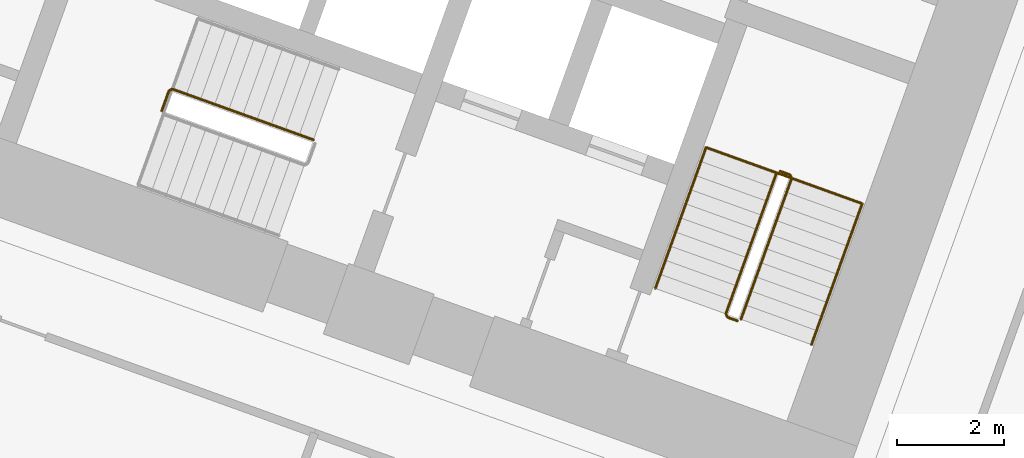
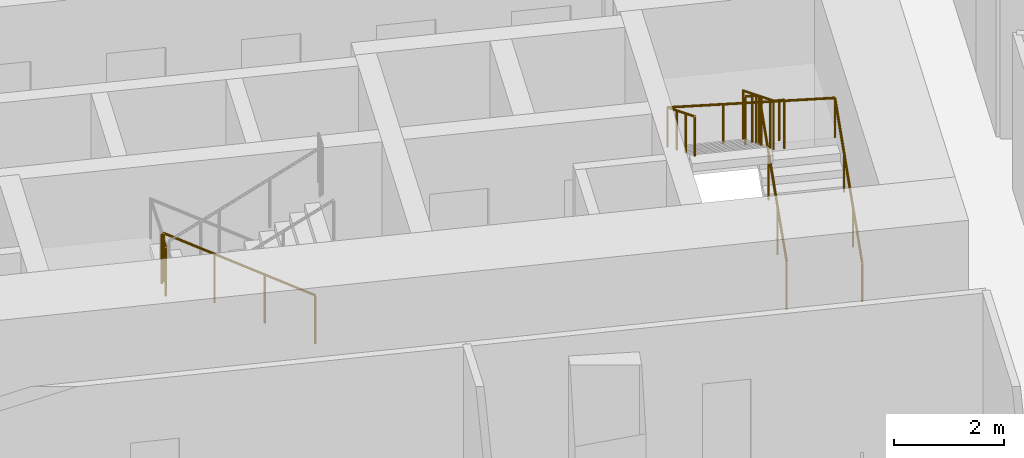
# One storey, part 22 of 22: 4 railings.
"""IFC4 building model written with IfcOpenShell, lengths in metres."""

import ifcopenshell
import ifcopenshell.guid

model = None  # the IFC model being written
_history = None  # IfcOwnerHistory: only IFC2X3 demands one
_inside = {}  # id of a spatial element -> (the spatial element, [elements in it])
_under = {}  # id of a project, library or spatial element -> (it, [spatial elements below it])
_declared = {}  # id of a project -> (the project, [libraries it declares])
_typed = {}  # id of a type object -> (the type object, [elements of that type])
_made_of = {}  # id of a material, layer set ... -> (it, [elements and type objects made of it])


def new_model(schema):
    """Start an empty IFC model of exactly this schema.

    Asked for "IFC4X3", IfcOpenShell would pick the latest addendum, in which some entities
    have other attributes; the version numbers below select the first issue.
    IFC2X3 requires an IfcOwnerHistory on every rooted entity: one is made here for all.
    """
    global model, _history
    if schema == "IFC4X3":
        model = ifcopenshell.file(schema_version=(4, 3, 0, 0))
    else:
        model = ifcopenshell.file(schema=schema)
    _inside.clear()
    _under.clear()
    _declared.clear()
    _typed.clear()
    _made_of.clear()
    _history = None
    if model.schema == "IFC2X3":
        org = make("IfcOrganization", Name="unknown")
        user = make(
            "IfcPersonAndOrganization",
            ThePerson=make("IfcPerson", FamilyName="unknown"),
            TheOrganization=org,
        )
        app = make(
            "IfcApplication",
            ApplicationDeveloper=org,
            Version="unknown",
            ApplicationFullName="unknown",
            ApplicationIdentifier="unknown",
        )
        _history = make(
            "IfcOwnerHistory",
            OwningUser=user,
            OwningApplication=app,
            ChangeAction="ADDED",
            CreationDate=0,
        )
    return model


def make(cls, **values):
    """One entity of the class cls with the attributes given. An attribute that is None is left unset."""
    return model.create_entity(
        cls, **{name: value for name, value in values.items() if value is not None}
    )


def rooted(cls, **values):
    """An entity with a GlobalId (a new one), such as an element, a storey or a relation."""
    return make(cls, GlobalId=ifcopenshell.guid.new(), OwnerHistory=_history, **values)


def si_unit(unit_type, name, prefix=None):
    """IfcSIUnit, for example si_unit("LENGTHUNIT", "METRE", prefix="MILLI")."""
    return make("IfcSIUnit", UnitType=unit_type, Prefix=prefix, Name=name)


def assignment(units):
    """IfcUnitAssignment: the units of a project."""
    return None if units is None else make("IfcUnitAssignment", Units=units)


def point(xyz):
    """IfcCartesianPoint."""
    return None if xyz is None else make("IfcCartesianPoint", Coordinates=xyz)


def direction(xyz):
    """IfcDirection."""
    return None if xyz is None else make("IfcDirection", DirectionRatios=xyz)


def frame(location, z_axis=None, x_axis=None):
    """IfcAxis2Placement3D, a coordinate frame: its origin and axes. An axis left out is left unset."""
    return make(
        "IfcAxis2Placement3D",
        Location=point(location),
        Axis=direction(z_axis),
        RefDirection=direction(x_axis),
    )


def frame_2d(location, x_axis=None):
    """IfcAxis2Placement2D, a coordinate frame in the plane: its origin and x axis."""
    return make(
        "IfcAxis2Placement2D", Location=point(location), RefDirection=direction(x_axis)
    )


def origin():
    """The frame at (0, 0, 0) with its axes left unset."""
    return frame((0.0, 0.0, 0.0))


def origin_2d():
    """The frame at (0, 0) in the plane with its x axis left unset."""
    return frame_2d((0.0, 0.0))


def place(relative_to, where):
    """IfcLocalPlacement: puts the frame where relative to a parent placement (None: the world)."""
    return make(
        "IfcLocalPlacement", PlacementRelTo=relative_to, RelativePlacement=where
    )


def context(
    kind, dimensions, precision=None, world=None, true_north=None, identifier=None
):
    """IfcGeometricRepresentationContext, for example the 3D "Model" context."""
    return make(
        "IfcGeometricRepresentationContext",
        ContextIdentifier=identifier,
        ContextType=kind,
        CoordinateSpaceDimension=dimensions,
        Precision=precision,
        WorldCoordinateSystem=world,
        TrueNorth=true_north,
    )


def subcontext(parent, identifier, kind, view, scale=None):
    """IfcGeometricRepresentationSubContext, for example "Body" below "Model"."""
    return make(
        "IfcGeometricRepresentationSubContext",
        ContextIdentifier=identifier,
        ContextType=kind,
        ParentContext=parent,
        TargetScale=scale,
        TargetView=view,
    )


def project(units=None, contexts=None):
    """IfcProject with its units and contexts."""
    return rooted(
        "IfcProject",
        Name="project",
        RepresentationContexts=contexts,
        UnitsInContext=assignment(units),
    )


def spatial(cls, under=None, at=None, **own):
    """A site, building, storey or space (cls), placed at a placement, below another one or the project."""
    s = rooted(cls, ObjectPlacement=at, **own)
    if under is not None:
        _under.setdefault(under.id(), (under, []))[1].append(s)
    return s


def profile(cls, at=None, kind="AREA", **sizes):
    """A parametric profile (cls). Its sizes go by their IFC names, for example OverallWidth=200.0."""
    return make(cls, ProfileType=kind, Position=at, **sizes)


def circle(**sizes):
    """IfcCircleProfileDef."""
    return profile("IfcCircleProfileDef", **sizes)


def extrude(swept, where, along, depth):
    """IfcExtrudedAreaSolid: the profile swept, set in the frame where, extruded along a direction by depth."""
    return make(
        "IfcExtrudedAreaSolid",
        SweptArea=swept,
        Position=where,
        ExtrudedDirection=direction(along),
        Depth=depth,
    )


def shape(context_of_items, identifier, shape_type, items):
    """IfcShapeRepresentation: the items that make up one representation, for example the "Body"."""
    return make(
        "IfcShapeRepresentation",
        ContextOfItems=context_of_items,
        RepresentationIdentifier=identifier,
        RepresentationType=shape_type,
        Items=items,
    )


def material(Name=None, Category=None):
    """IfcMaterial."""
    return make("IfcMaterial", Name=Name, Category=Category)


def made_of(thing, what):
    """Note that an element or type object is made of a material, layer set ...; save() writes the relation."""
    if what is not None:
        _made_of.setdefault(what.id(), (what, []))[1].append(thing)
    return thing


def type_object(cls, material=None, **own):
    """A type object (cls), such as IfcWallType, which elements share."""
    return made_of(rooted(cls, **own), material)


def element(
    cls,
    number,
    at=None,
    inside=None,
    cuts=None,
    type_object=None,
    material=None,
    context=None,
    identifier="Body",
    shape_type=None,
    held_by="IfcProductDefinitionShape",
    body=None,
    shapes=None,
    **own,
):
    """One element of the class cls, such as IfcWall. Its Tag is "e" and its number.

    at: its placement. inside: the storey or other place that contains it. cuts: it is an
    opening in that element (IfcRelVoidsElement). A single representation is given by context,
    identifier, shape_type and body (its items); several are given by shapes. held_by: the class
    of the entity that holds the representations. save() writes the other relations.
    """
    e = rooted(cls, Tag="e%d" % number, ObjectPlacement=at, **own)
    if body is not None:
        shapes = [shape(context, identifier, shape_type, body)]
    if shapes is not None:
        e.Representation = make(held_by, Representations=shapes)
    if inside is not None:
        _inside.setdefault(inside.id(), (inside, []))[1].append(e)
    if cuts is not None:
        rooted(
            "IfcRelVoidsElement", RelatingBuildingElement=cuts, RelatedOpeningElement=e
        )
    if type_object is not None:
        _typed.setdefault(type_object.id(), (type_object, []))[1].append(e)
    return made_of(e, material)


def aggregate(whole, parts):
    """IfcRelAggregates: a whole, such as a stair, and the parts it consists of."""
    return rooted("IfcRelAggregates", RelatingObject=whole, RelatedObjects=parts)


def save(model, path):
    """Write the relations noted so far, then the file.

    IfcRelAggregates (storeys below a building ...), IfcRelContainedInSpatialStructure (elements
    in a storey), IfcRelDefinesByType, IfcRelAssociatesMaterial and IfcRelDeclares: one each for
    every whole, place, type object, material and project.
    """
    for whole, parts in _under.values():
        aggregate(whole, parts)
    for where, things in _inside.values():
        rooted(
            "IfcRelContainedInSpatialStructure",
            RelatedElements=things,
            RelatingStructure=where,
        )
    for kind, things in _typed.values():
        rooted("IfcRelDefinesByType", RelatedObjects=things, RelatingType=kind)
    for what, things in _made_of.values():
        rooted("IfcRelAssociatesMaterial", RelatedObjects=things, RelatingMaterial=what)
    for by, libraries in _declared.values():
        rooted("IfcRelDeclares", RelatingContext=by, RelatedDefinitions=libraries)
    model.write(path)


model = new_model("IFC4")

# Units and contexts
model_context = context("Model", 3, precision=1e-05, world=origin(), true_north=direction((0.0, 1.0)))
body_context = subcontext(model_context, "Body", "Model", "MODEL_VIEW")
ifc_project = project(units=[si_unit("LENGTHUNIT", "METRE"), si_unit("AREAUNIT", "SQUARE_METRE"), si_unit("VOLUMEUNIT", "CUBIC_METRE"), si_unit("PLANEANGLEUNIT", "RADIAN"), si_unit("MASSUNIT", "GRAM", prefix="KILO")], contexts=[model_context])

# Site, building, storey
site_placement = place(None, origin())
site = spatial("IfcSite", under=ifc_project, at=site_placement, CompositionType="ELEMENT")
building_placement = place(site_placement, origin())
building = spatial("IfcBuilding", under=site, at=building_placement, Name="Stone Belt Terrace Tower", CompositionType="ELEMENT")
storey_placement = place(building_placement, frame((0.0, 0.0, 109.800048828125)))
storey = spatial("IfcBuildingStorey", under=building, at=storey_placement, Name="L26", CompositionType="ELEMENT", Elevation=109.800048828125)

# Railings
ifc_material = material(Name="Structural steel C345", Category="steel")
railing_type_1 = type_object("IfcRailingType", Name="Stair guard 1100", PredefinedType="GUARDRAIL", material=ifc_material)
railing_1_placement = place(storey_placement, frame((24.494140625, 45.174560546875, 0.172607421875)))
element("IfcRailing", 1, at=railing_1_placement, inside=storey, type_object=railing_type_1, Name="L26 ST1B stair guard 1", PredefinedType="GUARDRAIL", context=body_context, shape_type="SweptSolid", body=[
    extrude(circle(Radius=0.02392578125, at=origin_2d()), frame((0.0, 0.0, 1.076171875), z_axis=(0.288228637646, 0.800791768495, 0.525030280985), x_axis=(-0.940908529223, 0.338660803216, 0.0)), (0.0, 0.0, 1.0), 3.289794921875),
    extrude(circle(Radius=0.02392578125, at=origin_2d()), frame((0.9482421875, 2.634521484375, 2.80322265625), z_axis=(-0.424964916, 0.905209821074, 0.0), x_axis=(-0.905209821074, -0.424964916, 0.0)), (0.0, 0.0, 1.0), 0.070556640625),
    extrude(circle(Radius=0.02392578125, at=origin_2d()), frame((0.918212890625, 2.698486328125, 2.80322265625), z_axis=(-0.941105063269, 0.338114270461, 0.0), x_axis=(-0.338114270461, -0.941105063269, 0.0)), (0.0, 0.0, 1.0), 0.199951171875),
    extrude(circle(Radius=0.02099609375, at=origin_2d()), origin(), (0.0, 0.0, 1.0), 1.052001953125),
    extrude(circle(Radius=0.02099609375, at=origin_2d()), frame((0.316162109375, 0.878173828125, 0.57568359375)), (0.0, 0.0, 1.0), 1.052001953125),
    extrude(circle(Radius=0.02099609375, at=origin_2d()), frame((0.632080078125, 1.75634765625, 1.151611328125)), (0.0, 0.0, 1.0), 1.052001953125),
    extrude(circle(Radius=0.02099609375, at=origin_2d()), frame((0.9482421875, 2.634521484375, 1.727294921875)), (0.0, 0.0, 1.0), 1.052001953125),
    extrude(circle(Radius=0.02099609375, at=origin_2d()), frame((0.918212890625, 2.698486328125, 1.727294921875)), (0.0, 0.0, 1.0), 1.052001953125),
    extrude(circle(Radius=0.02099609375, at=origin_2d()), frame((0.72998046875, 2.76611328125, 1.727294921875)), (0.0, 0.0, 1.0), 1.052001953125),
])
railing_2_placement = place(storey_placement, frame((25.16015625, 47.91064453125, 2.07275390625)))
element("IfcRailing", 2, at=railing_2_placement, inside=storey, type_object=railing_type_1, Name="L26 ST1B stair guard 2", PredefinedType="GUARDRAIL", context=body_context, shape_type="SweptSolid", body=[
    extrude(circle(Radius=0.02392578125, at=origin_2d()), frame((0.0, 0.0, 1.076171875), z_axis=(-0.288228637646, -0.800791768495, 0.525030280985), x_axis=(0.940908529223, -0.338660803216, 0.0)), (0.0, 0.0, 1.0), 3.289794921875),
    extrude(circle(Radius=0.02392578125, at=origin_2d()), frame((-0.9482421875, -2.634521484375, 2.80322265625), z_axis=(0.427789722475, -0.903878284585, 0.0), x_axis=(0.903878284585, 0.427789722475, 0.0)), (0.0, 0.0, 1.0), 0.07080078125),
    extrude(circle(Radius=0.02392578125, at=origin_2d()), frame((-0.91796875, -2.698486328125, 2.80322265625), z_axis=(0.940575576748, -0.339584429008, 0.0), x_axis=(0.339584429008, 0.940575576748, 0.0)), (0.0, 0.0, 1.0), 0.199951171875),
    extrude(circle(Radius=0.02099609375, at=origin_2d()), origin(), (0.0, 0.0, 1.0), 1.052001953125),
    extrude(circle(Radius=0.02099609375, at=origin_2d()), frame((-0.316162109375, -0.878173828125, 0.57568359375)), (0.0, 0.0, 1.0), 1.052001953125),
    extrude(circle(Radius=0.02099609375, at=origin_2d()), frame((-0.632080078125, -1.75634765625, 1.151611328125)), (0.0, 0.0, 1.0), 1.052001953125),
    extrude(circle(Radius=0.02099609375, at=origin_2d()), frame((-0.9482421875, -2.634521484375, 1.727294921875)), (0.0, 0.0, 1.0), 1.052001953125),
    extrude(circle(Radius=0.02099609375, at=origin_2d()), frame((-0.91796875, -2.698486328125, 1.727294921875)), (0.0, 0.0, 1.0), 1.052001953125),
    extrude(circle(Radius=0.02099609375, at=origin_2d()), frame((-0.72998046875, -2.766357421875, 1.727294921875)), (0.0, 0.0, 1.0), 1.052001953125),
])
railing_3_placement = place(storey_placement, frame((16.507568359375, 48.527099609375, 0.172607421875)))
element("IfcRailing", 3, at=railing_3_placement, inside=storey, type_object=railing_type_1, Name="L26 ST2B stair guard 1", PredefinedType="GUARDRAIL", context=body_context, shape_type="SweptSolid", body=[
    extrude(circle(Radius=0.02392578125, at=origin_2d()), frame((0.0, 0.0, 1.076171875), z_axis=(-0.800808895155, 0.288160591223, 0.52504150989), x_axis=(-0.338583606334, -0.940936311087, 0.0)), (0.0, 0.0, 1.0), 3.289794921875),
    extrude(circle(Radius=0.02392578125, at=origin_2d()), frame((-2.634521484375, 0.947998046875, 2.80322265625), z_axis=(-0.905209821074, -0.424964916, 0.0), x_axis=(0.424964916, -0.905209821074, 0.0)), (0.0, 0.0, 1.0), 0.070556640625),
    extrude(circle(Radius=0.02392578125, at=origin_2d()), frame((-2.698486328125, 0.91796875, 2.80322265625), z_axis=(-0.338654645739, -0.940910745459, 0.0), x_axis=(0.940910745459, -0.338654645739, 0.0)), (0.0, 0.0, 1.0), 0.400146484375),
    extrude(circle(Radius=0.02099609375, at=origin_2d()), origin(), (0.0, 0.0, 1.0), 1.052001953125),
    extrude(circle(Radius=0.02099609375, at=origin_2d()), frame((-0.878173828125, 0.31591796875, 0.57568359375)), (0.0, 0.0, 1.0), 1.052001953125),
    extrude(circle(Radius=0.02099609375, at=origin_2d()), frame((-1.75634765625, 0.632080078125, 1.151611328125)), (0.0, 0.0, 1.0), 1.052001953125),
    extrude(circle(Radius=0.02099609375, at=origin_2d()), frame((-2.634521484375, 0.947998046875, 1.727294921875)), (0.0, 0.0, 1.0), 1.052001953125),
    extrude(circle(Radius=0.02099609375, at=origin_2d()), frame((-2.698486328125, 0.91796875, 1.727294921875)), (0.0, 0.0, 1.0), 1.052001953125),
    extrude(circle(Radius=0.02099609375, at=origin_2d()), frame((-2.833984375, 0.54150390625, 1.727294921875)), (0.0, 0.0, 1.0), 1.052001953125),
])
railing_type_2 = type_object("IfcRailingType", Name="Stair handrail 900", PredefinedType="HANDRAIL", material=ifc_material)
railing_4_placement = place(storey_placement, frame((25.8115234375, 44.700439453125, 0.172607421875)))
element("IfcRailing", 4, at=railing_4_placement, inside=storey, type_object=railing_type_2, Name="L26 ST1B stair handrail 1", PredefinedType="HANDRAIL", context=body_context, shape_type="SweptSolid", body=[
    extrude(circle(Radius=0.02392578125, at=origin_2d()), frame((0.0, 0.0, 0.8759765625), z_axis=(0.288228637646, 0.800791768495, 0.525030280985), x_axis=(-0.940908529223, 0.338660803216, 0.0)), (0.0, 0.0, 1.0), 3.289794921875),
    extrude(circle(Radius=0.02392578125, at=origin_2d()), frame((0.9482421875, 2.634521484375, 2.60302734375), z_axis=(-0.939460408074, 0.338105101667, 0.055669398135), x_axis=(-0.338630230244, -0.940919532779, 0.0)), (0.0, 0.0, 1.0), 3.10498046875),
    extrude(circle(Radius=0.02392578125, at=origin_2d()), frame((-1.96875, 3.684326171875, 2.77587890625), z_axis=(-0.288160591223, -0.800808895155, 0.52504150989), x_axis=(0.940936311087, -0.338583606334, 0.0)), (0.0, 0.0, 1.0), 3.289794921875),
    extrude(circle(Radius=0.02099609375, at=origin_2d()), origin(), (0.0, 0.0, 1.0), 0.851806640625),
    extrude(circle(Radius=0.02099609375, at=origin_2d()), frame((0.316162109375, 0.878173828125, 0.57568359375)), (0.0, 0.0, 1.0), 0.851806640625),
    extrude(circle(Radius=0.02099609375, at=origin_2d()), frame((0.632080078125, 1.75634765625, 1.151611328125)), (0.0, 0.0, 1.0), 0.851806640625),
    extrude(circle(Radius=0.02099609375, at=origin_2d()), frame((0.9482421875, 2.634521484375, 1.727294921875)), (0.0, 0.0, 1.0), 0.851806640625),
    extrude(circle(Radius=0.02099609375, at=origin_2d()), frame((-0.024169921875, 2.984375, 1.784912109375)), (0.0, 0.0, 1.0), 0.851806640625),
    extrude(circle(Radius=0.02099609375, at=origin_2d()), frame((-0.996337890625, 3.33447265625, 1.842529296875)), (0.0, 0.0, 1.0), 0.851806640625),
    extrude(circle(Radius=0.02099609375, at=origin_2d()), frame((-1.96875, 3.684326171875, 1.900146484375)), (0.0, 0.0, 1.0), 0.851806640625),
    extrude(circle(Radius=0.02099609375, at=origin_2d()), frame((-2.28466796875, 2.80615234375, 2.475830078125)), (0.0, 0.0, 1.0), 0.851806640625),
    extrude(circle(Radius=0.02099609375, at=origin_2d()), frame((-2.600830078125, 1.927978515625, 3.0517578125)), (0.0, 0.0, 1.0), 0.851806640625),
    extrude(circle(Radius=0.02099609375, at=origin_2d()), frame((-2.916748046875, 1.0498046875, 3.62744140625)), (0.0, 0.0, 1.0), 0.851806640625),
])

save(model, "model.ifc")
